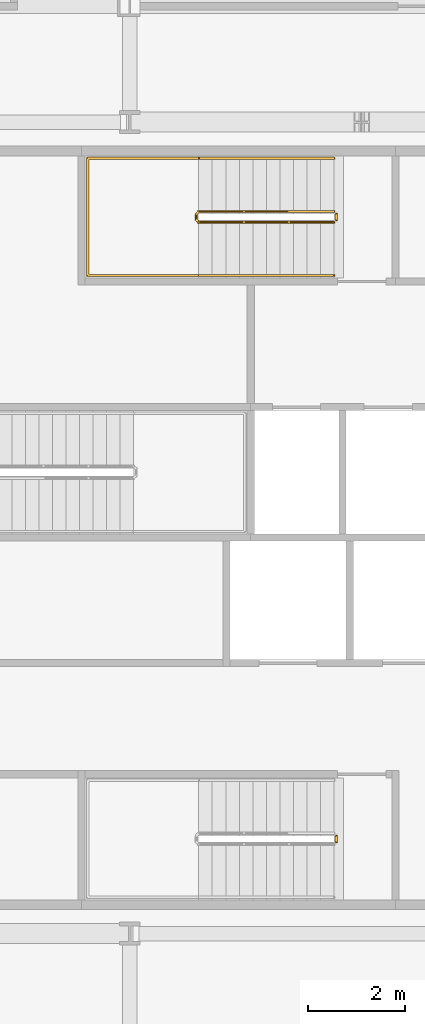
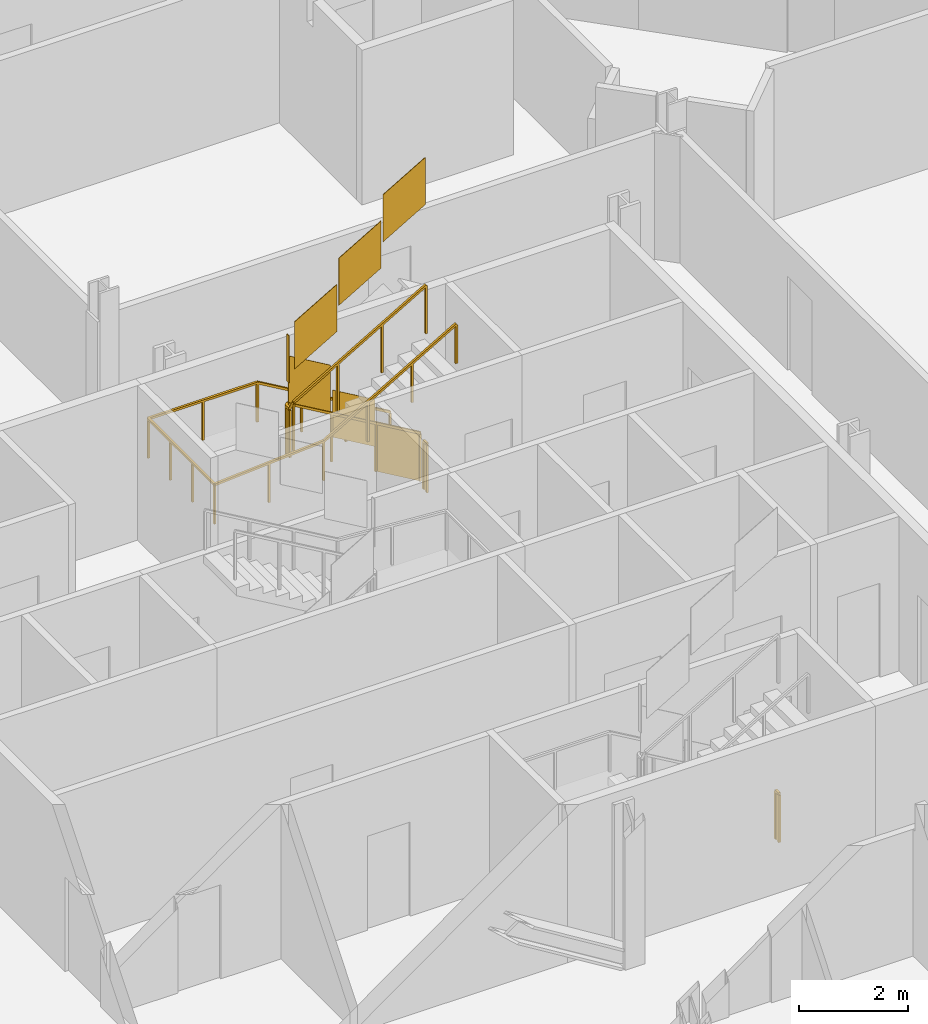
# One storey, part 19 of 21: 4 railings.
"""IFC4 building model written with IfcOpenShell, lengths in metres."""

from ifc_helpers import new_model, si_unit, direction, frame, origin, origin_2d, place, context, subcontext, project, spatial, polyline, rectangle, outline, extrude, material, type_object, element, save


model = new_model("IFC4")

# Units and contexts
model_context = context("Model", 3, precision=1e-05, world=origin(), true_north=direction((0.0, 1.0)))
body_context = subcontext(model_context, "Body", "Model", "MODEL_VIEW")
ifc_project = project(units=[si_unit("LENGTHUNIT", "METRE"), si_unit("AREAUNIT", "SQUARE_METRE"), si_unit("VOLUMEUNIT", "CUBIC_METRE"), si_unit("PLANEANGLEUNIT", "RADIAN"), si_unit("MASSUNIT", "GRAM", prefix="KILO")], contexts=[model_context])

# Site, building, storey
site_placement = place(None, origin())
site = spatial("IfcSite", under=ifc_project, at=site_placement, CompositionType="ELEMENT")
building_placement = place(site_placement, origin())
building = spatial("IfcBuilding", under=site, at=building_placement, Name="Cairn Pilgrim Tower", CompositionType="ELEMENT")
storey_placement = place(building_placement, frame((0.0, 0.0, 143.39990234375)))
storey = spatial("IfcBuildingStorey", under=building, at=storey_placement, Name="L35", CompositionType="ELEMENT", Elevation=143.39990234375)

# Railings
ifc_material = material(Name="Painted steel", Category="steel")
railing_type_1 = type_object("IfcRailingType", Name="STAIR GUARD 1100", PredefinedType="GUARDRAIL", material=ifc_material)
railing_1_placement = place(storey_placement, frame((11.47509765625, -3.97509765625, 0.0)))
element("IfcRailing", 1, at=railing_1_placement, inside=storey, type_object=railing_type_1, Name="L35 ST-A stair guard 2", PredefinedType="GUARDRAIL", context=body_context, shape_type="SweptSolid", body=[
    extrude(rectangle(XDim=0.048095703125, YDim=0.048095703125, at=origin_2d()), frame((0.0, 0.0, 1.076171875), z_axis=(0.0, -1.0, 0.0), x_axis=(1.0, 0.0, 0.0)), (0.0, 0.0, 1.0), 0.125),
    extrude(rectangle(XDim=0.0419921875, YDim=0.0419921875, at=origin_2d()), origin(), (0.0, 0.0, 1.0), 1.052001953125),
    extrude(rectangle(XDim=0.0419921875, YDim=0.0419921875, at=origin_2d()), frame((0.0, -0.125, 0.0)), (0.0, 0.0, 1.0), 1.052001953125),
    extrude(outline(polyline([(0.02099609375, 0.0), (0.10400390625, 0.0), (0.10400390625, 1.052001953125), (0.02099609375, 1.052001953125), (0.02099609375, 0.0)])), frame((0.005859375, 0.0, 0.0), z_axis=(-1.0, 0.0, 0.0), x_axis=(0.0, -1.0, 0.0)), (0.0, 0.0, 1.0), 0.011962890625),
])
railing_2_placement = place(storey_placement, frame((11.425048828125, 8.949951171875, 0.163818359375)))
element("IfcRailing", 2, at=railing_2_placement, inside=storey, type_object=railing_type_1, Name="L35 ST-C stair guard 1", PredefinedType="GUARDRAIL", context=body_context, shape_type="SweptSolid", body=[
    extrude(rectangle(XDim=0.048095703125, YDim=0.048095703125, at=origin_2d()), frame((0.0, 0.0, 1.076171875), z_axis=(-0.863393664356, 0.0, 0.504530851732), x_axis=(0.0, -1.0, 0.0)), (0.0, 0.0, 1.0), 3.2431640625),
    extrude(rectangle(XDim=0.048095703125, YDim=0.048095703125, at=origin_2d()), frame((-2.800048828125, 0.0, 2.71240234375), z_axis=(-0.707106781187, -0.707106781187, 0.0), x_axis=(0.707106781187, -0.707106781187, 0.0)), (0.0, 0.0, 1.0), 0.07080078125),
    extrude(rectangle(XDim=0.048095703125, YDim=0.048095703125, at=origin_2d()), frame((-2.85009765625, -0.050048828125, 2.71240234375), z_axis=(0.0, -1.0, 0.0), x_axis=(1.0, 0.0, 0.0)), (0.0, 0.0, 1.0), 0.125),
    extrude(rectangle(XDim=0.048095703125, YDim=0.048095703125, at=origin_2d()), frame((-2.85009765625, -0.175048828125, 2.71240234375), z_axis=(0.280916556609, -0.279546231943, 0.91811752648), x_axis=(0.705375805398, 0.708833529934, 0.0)), (0.0, 0.0, 1.0), 0.17822265625),
    extrude(rectangle(XDim=0.048095703125, YDim=0.048095703125, at=origin_2d()), frame((-2.800048828125, -0.224853515625, 2.8759765625), z_axis=(0.863360870873, 0.0, 0.504586966384), x_axis=(0.0, 1.0, 0.0)), (0.0, 0.0, 1.0), 3.2431640625),
    extrude(rectangle(XDim=0.0419921875, YDim=0.0419921875, at=origin_2d()), origin(), (0.0, 0.0, 1.0), 1.052001953125),
    extrude(rectangle(XDim=0.0419921875, YDim=0.0419921875, at=origin_2d()), frame((-0.933349609375, 0.0, 0.54541015625)), (0.0, 0.0, 1.0), 1.052001953125),
    extrude(rectangle(XDim=0.0419921875, YDim=0.0419921875, at=origin_2d()), frame((-1.86669921875, 0.0, 1.0908203125)), (0.0, 0.0, 1.0), 1.052001953125),
    extrude(rectangle(XDim=0.0419921875, YDim=0.0419921875, at=origin_2d()), frame((-2.800048828125, 0.0, 1.63623046875)), (0.0, 0.0, 1.0), 1.052001953125),
    extrude(rectangle(XDim=0.0419921875, YDim=0.0419921875, at=origin_2d()), frame((-2.85009765625, -0.050048828125, 1.63623046875)), (0.0, 0.0, 1.0), 1.052001953125),
    extrude(rectangle(XDim=0.0419921875, YDim=0.0419921875, at=origin_2d()), frame((-2.85009765625, -0.175048828125, 1.63623046875)), (0.0, 0.0, 1.0), 1.052001953125),
    extrude(rectangle(XDim=0.0419921875, YDim=0.0419921875, at=origin_2d()), frame((-2.800048828125, -0.224853515625, 1.7998046875)), (0.0, 0.0, 1.0), 1.052001953125),
    extrude(rectangle(XDim=0.0419921875, YDim=0.0419921875, at=origin_2d()), frame((-1.86669921875, -0.224853515625, 2.34521484375)), (0.0, 0.0, 1.0), 1.052001953125),
    extrude(rectangle(XDim=0.0419921875, YDim=0.0419921875, at=origin_2d()), frame((-0.933349609375, -0.224853515625, 2.890869140625)), (0.0, 0.0, 1.0), 1.052001953125),
    extrude(rectangle(XDim=0.0419921875, YDim=0.0419921875, at=origin_2d()), frame((0.0, -0.224853515625, 3.436279296875)), (0.0, 0.0, 1.0), 1.052001953125),
    extrude(outline(polyline([(0.02099609375, 0.01220703125), (0.912353515625, 0.533203125), (0.912353515625, 1.585205078125), (0.02099609375, 1.064208984375), (0.02099609375, 0.01220703125)])), frame((0.0, -0.005859375, 0.0), z_axis=(0.0, 1.0, 0.0), x_axis=(-1.0, 0.0, 0.0)), (0.0, 0.0, 1.0), 0.011962890625),
    extrude(outline(polyline([(0.02099609375, 0.5576171875), (0.912353515625, 1.07861328125), (0.912353515625, 2.130615234375), (0.02099609375, 1.609619140625), (0.02099609375, 0.5576171875)])), frame((-0.933349609375, -0.005859375, 0.54541015625), z_axis=(0.0, 1.0, 0.0), x_axis=(-1.0, 0.0, 0.0)), (0.0, 0.0, 1.0), 0.011962890625),
    extrude(outline(polyline([(0.02099609375, 1.10302734375), (0.912353515625, 1.6240234375), (0.912353515625, 2.676025390625), (0.02099609375, 2.155029296875), (0.02099609375, 1.10302734375)])), frame((-1.86669921875, -0.005859375, 1.0908203125), z_axis=(0.0, 1.0, 0.0), x_axis=(-1.0, 0.0, 0.0)), (0.0, 0.0, 1.0), 0.011962890625),
    extrude(outline(polyline([(0.02099609375, 1.63623046875), (0.10400390625, 1.63623046875), (0.10400390625, 2.688232421875), (0.02099609375, 2.688232421875), (0.02099609375, 1.63623046875)])), frame((-2.84423828125, -0.050048828125, 1.63623046875), z_axis=(-1.0, 0.0, 0.0), x_axis=(0.0, -1.0, 0.0)), (0.0, 0.0, 1.0), 0.011962890625),
    extrude(outline(polyline([(0.02099609375, 1.81201171875), (0.912353515625, 2.3330078125), (0.912353515625, 3.385009765625), (0.02099609375, 2.864013671875), (0.02099609375, 1.81201171875)])), frame((-2.800048828125, -0.21875, 1.7998046875), z_axis=(0.0, -1.0, 0.0), x_axis=(1.0, 0.0, 0.0)), (0.0, 0.0, 1.0), 0.011962890625),
    extrude(outline(polyline([(0.02099609375, 2.357666015625), (0.912353515625, 2.87841796875), (0.912353515625, 3.930419921875), (0.02099609375, 3.40966796875), (0.02099609375, 2.357666015625)])), frame((-1.86669921875, -0.21875, 2.34521484375), z_axis=(0.0, -1.0, 0.0), x_axis=(1.0, 0.0, 0.0)), (0.0, 0.0, 1.0), 0.011962890625),
    extrude(outline(polyline([(0.02099609375, 2.903076171875), (0.912353515625, 3.424072265625), (0.912353515625, 4.47607421875), (0.02099609375, 3.955078125), (0.02099609375, 2.903076171875)])), frame((-0.933349609375, -0.21875, 2.890869140625), z_axis=(0.0, -1.0, 0.0), x_axis=(1.0, 0.0, 0.0)), (0.0, 0.0, 1.0), 0.011962890625),
])
railing_3_placement = place(storey_placement, frame((11.47509765625, 8.89990234375, 0.0)))
element("IfcRailing", 3, at=railing_3_placement, inside=storey, type_object=railing_type_1, Name="L35 ST-C stair guard 2", PredefinedType="GUARDRAIL", context=body_context, shape_type="SweptSolid", body=[
    extrude(rectangle(XDim=0.048095703125, YDim=0.048095703125, at=origin_2d()), frame((0.0, 0.0, 1.076171875), z_axis=(0.0, -1.0, 0.0), x_axis=(1.0, 0.0, 0.0)), (0.0, 0.0, 1.0), 0.125),
    extrude(rectangle(XDim=0.0419921875, YDim=0.0419921875, at=origin_2d()), origin(), (0.0, 0.0, 1.0), 1.052001953125),
    extrude(rectangle(XDim=0.0419921875, YDim=0.0419921875, at=origin_2d()), frame((0.0, -0.125, 0.0)), (0.0, 0.0, 1.0), 1.052001953125),
    extrude(outline(polyline([(0.02099609375, 0.0), (0.10400390625, 0.0), (0.10400390625, 1.052001953125), (0.02099609375, 1.052001953125), (0.02099609375, 0.0)])), frame((0.005859375, 0.0, 0.0), z_axis=(-1.0, 0.0, 0.0), x_axis=(0.0, -1.0, 0.0)), (0.0, 0.0, 1.0), 0.011962890625),
])
railing_type_2 = type_object("IfcRailingType", Name="STAIR HANDRAIL 900", PredefinedType="HANDRAIL", material=ifc_material)
railing_4_placement = place(storey_placement, frame((11.425048828125, 10.050048828125, 0.163818359375)))
element("IfcRailing", 4, at=railing_4_placement, inside=storey, type_object=railing_type_2, Name="L35 ST-C stair handrail 1", PredefinedType="HANDRAIL", context=body_context, shape_type="SweptSolid", body=[
    extrude(rectangle(XDim=0.048095703125, YDim=0.048095703125, at=origin_2d()), frame((0.0, 0.0, 0.8759765625), z_axis=(-0.863393664356, 0.0, 0.504530851732), x_axis=(0.0, -1.0, 0.0)), (0.0, 0.0, 1.0), 3.2431640625),
    extrude(rectangle(XDim=0.048095703125, YDim=0.048095703125, at=origin_2d()), frame((-2.800048828125, 0.0, 2.51220703125), z_axis=(-1.0, 0.0, 0.0), x_axis=(0.0, -1.0, 0.0)), (0.0, 0.0, 1.0), 2.300048828125),
    extrude(rectangle(XDim=0.048095703125, YDim=0.048095703125, at=origin_2d()), frame((-5.10009765625, 0.0, 2.51220703125), z_axis=(0.0, -1.0, 0.0), x_axis=(1.0, 0.0, 0.0)), (0.0, 0.0, 1.0), 2.425048828125),
    extrude(rectangle(XDim=0.048095703125, YDim=0.048095703125, at=origin_2d()), frame((-5.10009765625, -2.425048828125, 2.51220703125), z_axis=(0.997480687736, 0.0, 0.070938548008), x_axis=(0.0, 1.0, 0.0)), (0.0, 0.0, 1.0), 2.305908203125),
    extrude(rectangle(XDim=0.048095703125, YDim=0.048095703125, at=origin_2d()), frame((-2.800048828125, -2.425048828125, 2.67578125), z_axis=(0.863360870873, 0.0, 0.504586966384), x_axis=(0.0, 1.0, 0.0)), (0.0, 0.0, 1.0), 3.2431640625),
    extrude(rectangle(XDim=0.0419921875, YDim=0.0419921875, at=origin_2d()), origin(), (0.0, 0.0, 1.0), 0.851806640625),
    extrude(rectangle(XDim=0.0419921875, YDim=0.0419921875, at=origin_2d()), frame((-0.933349609375, 0.0, 0.54541015625)), (0.0, 0.0, 1.0), 0.851806640625),
    extrude(rectangle(XDim=0.0419921875, YDim=0.0419921875, at=origin_2d()), frame((-1.86669921875, 0.0, 1.0908203125)), (0.0, 0.0, 1.0), 0.851806640625),
    extrude(rectangle(XDim=0.0419921875, YDim=0.0419921875, at=origin_2d()), frame((-2.800048828125, 0.0, 1.63623046875)), (0.0, 0.0, 1.0), 0.851806640625),
    extrude(rectangle(XDim=0.0419921875, YDim=0.0419921875, at=origin_2d()), frame((-3.9501953125, 0.0, 1.63623046875)), (0.0, 0.0, 1.0), 0.851806640625),
    extrude(rectangle(XDim=0.0419921875, YDim=0.0419921875, at=origin_2d()), frame((-5.10009765625, 0.0, 1.63623046875)), (0.0, 0.0, 1.0), 0.851806640625),
    extrude(rectangle(XDim=0.0419921875, YDim=0.0419921875, at=origin_2d()), frame((-5.10009765625, -0.808349609375, 1.63623046875)), (0.0, 0.0, 1.0), 0.851806640625),
    extrude(rectangle(XDim=0.0419921875, YDim=0.0419921875, at=origin_2d()), frame((-5.10009765625, -1.61669921875, 1.63623046875)), (0.0, 0.0, 1.0), 0.851806640625),
    extrude(rectangle(XDim=0.0419921875, YDim=0.0419921875, at=origin_2d()), frame((-5.10009765625, -2.425048828125, 1.63623046875)), (0.0, 0.0, 1.0), 0.851806640625),
    extrude(rectangle(XDim=0.0419921875, YDim=0.0419921875, at=origin_2d()), frame((-3.9501953125, -2.425048828125, 1.718017578125)), (0.0, 0.0, 1.0), 0.851806640625),
    extrude(rectangle(XDim=0.0419921875, YDim=0.0419921875, at=origin_2d()), frame((-2.800048828125, -2.425048828125, 1.7998046875)), (0.0, 0.0, 1.0), 0.851806640625),
    extrude(rectangle(XDim=0.0419921875, YDim=0.0419921875, at=origin_2d()), frame((-1.86669921875, -2.425048828125, 2.34521484375)), (0.0, 0.0, 1.0), 0.851806640625),
    extrude(rectangle(XDim=0.0419921875, YDim=0.0419921875, at=origin_2d()), frame((-0.933349609375, -2.425048828125, 2.890869140625)), (0.0, 0.0, 1.0), 0.851806640625),
    extrude(rectangle(XDim=0.0419921875, YDim=0.0419921875, at=origin_2d()), frame((0.0, -2.425048828125, 3.436279296875)), (0.0, 0.0, 1.0), 0.851806640625),
])

save(model, "model.ifc")
